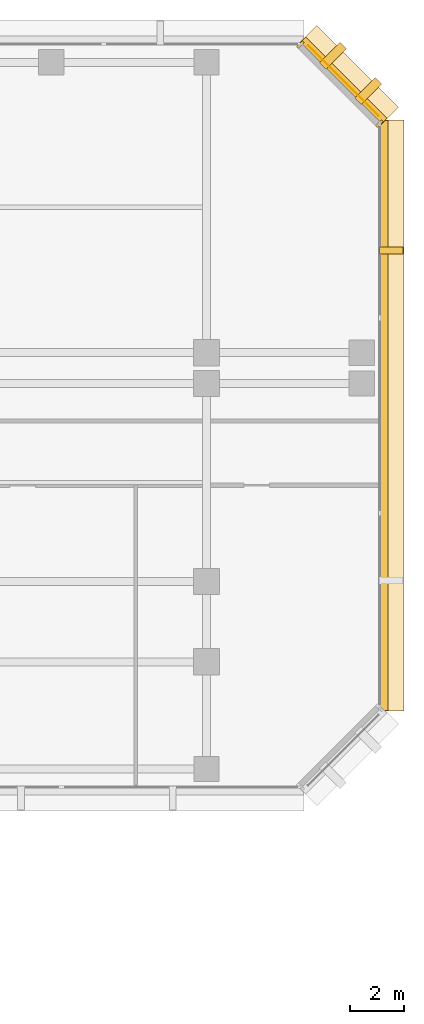
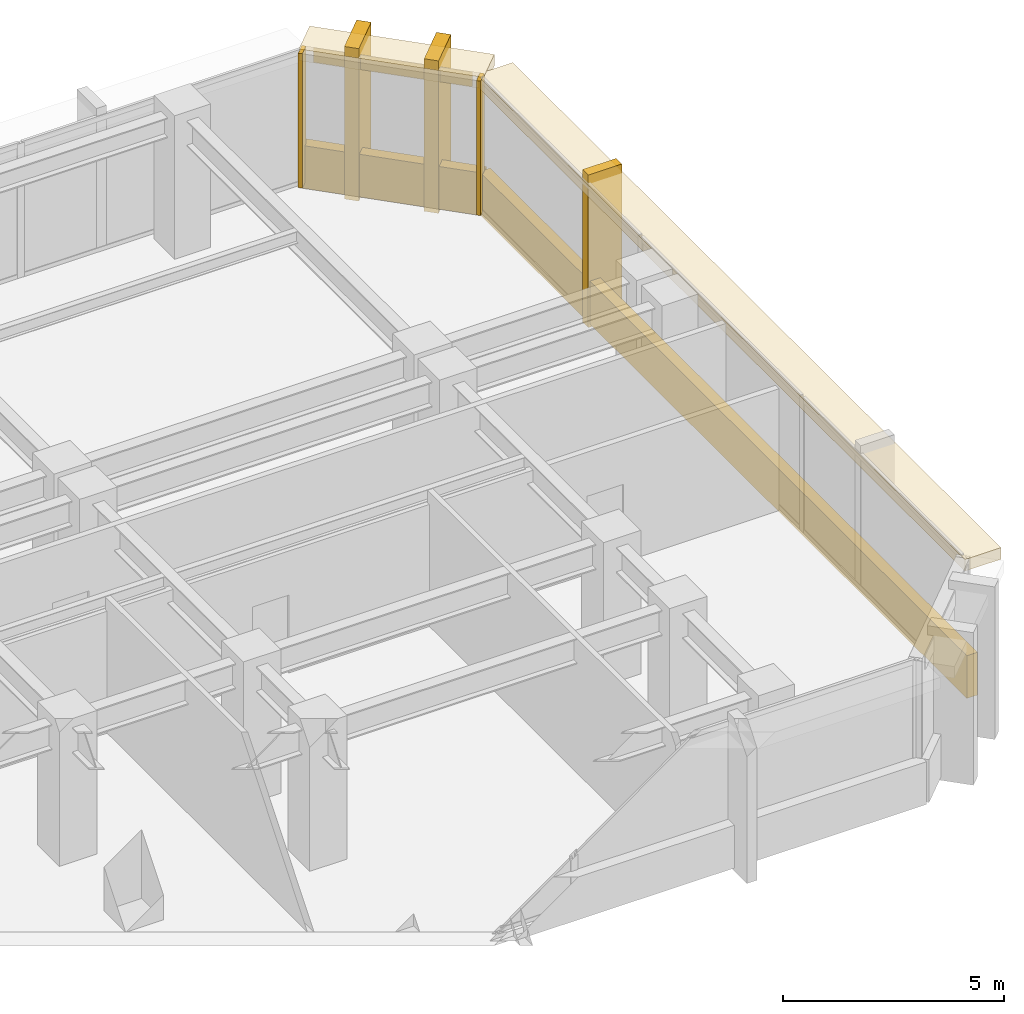
# One storey, part 13 of 13: 10 coverings.
"""IFC4 building model written with IfcOpenShell, lengths in metres."""

from ifc_helpers import new_model, si_unit, direction, frame, origin, origin_2d, place, context, subcontext, project, spatial, rectangle, extrude, material, layer, layer_set, type_object, element, save


model = new_model("IFC4")

# Units and contexts
model_context = context("Model", 3, precision=1e-05, world=origin(), true_north=direction((0.0, 1.0)))
body_context = subcontext(model_context, "Body", "Model", "MODEL_VIEW")
ifc_project = project(units=[si_unit("LENGTHUNIT", "METRE"), si_unit("AREAUNIT", "SQUARE_METRE"), si_unit("VOLUMEUNIT", "CUBIC_METRE"), si_unit("PLANEANGLEUNIT", "RADIAN"), si_unit("MASSUNIT", "GRAM", prefix="KILO")], contexts=[model_context])

# Site, building, storey
site_placement = place(None, origin())
site = spatial("IfcSite", under=ifc_project, at=site_placement, CompositionType="ELEMENT")
building_placement = place(site_placement, origin())
building = spatial("IfcBuilding", under=site, at=building_placement, Name="Kefirva Bronze Tower", CompositionType="ELEMENT")
storey_placement = place(building_placement, frame((0.0, 0.0, 77.8798828125)))
storey = spatial("IfcBuildingStorey", under=building, at=storey_placement, Name="L18", CompositionType="ELEMENT", Elevation=77.8798828125)

# Coverings
ifc_material = material(Name="Bronze anodised aluminium", Category="aluminium")
ifc_layer_1 = layer(ifc_material, 0.02001953125, Name="Bronze anodised aluminium")
ifc_layer_set_1 = layer_set([ifc_layer_1], Name="Bronze anodised aluminium")
covering_type_1 = type_object("IfcCoveringType", Name="Anodised Bronze Spandrel Cladding 20mm", PredefinedType="CLADDING", material=ifc_layer_set_1)
covering_1_placement = place(storey_placement, frame((56.0400390625, 32.0, -0.15966796875), z_axis=(0.0, 0.0, 1.0), x_axis=(0.0, 1.0, 0.0)))
element("IfcCovering", 1, at=covering_1_placement, inside=storey, type_object=covering_type_1, Name="L18 Streamline Horizontal Spandrel Band 10", PredefinedType="CLADDING", context=body_context, shape_type="SweptSolid", body=[
    extrude(rectangle(XDim=22.0400390625, YDim=0.280029296875, at=origin_2d()), origin(), (0.0, 0.0, 1.0), 1.179931640625),
])
covering_2_placement = place(storey_placement, frame((54.507080078125, 44.507080078125, 3.290283203125), z_axis=(0.0, 0.0, 1.0), x_axis=(-0.707106781187, 0.707106781187, 0.0)))
element("IfcCovering", 2, at=covering_2_placement, inside=storey, type_object=covering_type_1, Name="L18 Bronze Spandrel Cladding 8", PredefinedType="CLADDING", context=body_context, shape_type="SweptSolid", body=[
    extrude(rectangle(XDim=3.719482421875, YDim=0.02001953125, at=origin_2d()), origin(), (0.0, 0.0, 1.0), 0.39990234375),
])
for number, where, z_axis, x_axis, name in (
    (3, (55.862060546875, 42.91162109375, 0.000244140625), (0.0, 0.0, 1.0), (-0.707106781187, 0.707106781187, 0.0), "L18 Facade Joint Closure Panel 8S"),
    (4, (52.91162109375, 45.862060546875, 0.000244140625), (0.0, 0.0, 1.0), (-0.707106781187, 0.707106781187, 0.0), "L18 Facade Joint Closure Panel 8E"),
):
    element("IfcCovering", number, at=place(storey_placement, frame(where, z_axis=z_axis, x_axis=x_axis)), inside=storey, type_object=covering_type_1, Name=name, PredefinedType="CLADDING", context=body_context, shape_type="SweptSolid", body=[
        extrude(rectangle(XDim=0.10009765625, YDim=0.320068359375, at=origin_2d()), origin(), (0.0, 0.0, 1.0), 3.7099609375),
    ])
covering_3_placement = place(storey_placement, frame((54.5283203125, 44.5283203125, -0.15966796875), z_axis=(0.0, 0.0, 1.0), x_axis=(-0.707106781187, 0.707106781187, 0.0)))
element("IfcCovering", 5, at=covering_3_placement, inside=storey, type_object=covering_type_1, Name="L18 Streamline Horizontal Spandrel Band 11", PredefinedType="CLADDING", context=body_context, shape_type="SweptSolid", body=[
    extrude(rectangle(XDim=4.28271484375, YDim=0.280029296875, at=origin_2d()), origin(), (0.0, 0.0, 1.0), 1.179931640625),
])
ifc_layer_2 = layer(ifc_material, 0.179931640625, Name="Bronze anodised aluminium")
ifc_layer_set_2 = layer_set([ifc_layer_2], Name="Bronze anodised aluminium")
covering_type_2 = type_object("IfcCoveringType", Name="Streamline Bronze Sunshade Eyebrow Cladding 180mm", PredefinedType="CLADDING", material=ifc_layer_set_2)
covering_4_placement = place(storey_placement, frame((56.31005859375, 32.0, 3.39013671875), z_axis=(0.0, 0.0, 1.0), x_axis=(0.0, 1.0, 0.0)))
element("IfcCovering", 6, at=covering_4_placement, inside=storey, type_object=covering_type_2, Name="L18 Streamline Bronze Sunshade Eyebrow 10", PredefinedType="CLADDING", context=body_context, shape_type="SweptSolid", body=[
    extrude(rectangle(XDim=22.080078125, YDim=0.93994140625, at=origin_2d()), origin(), (0.0, 0.0, 1.0), 0.320068359375),
])
covering_5_placement = place(storey_placement, frame((54.71923828125, 44.71923828125, 3.39013671875), z_axis=(0.0, 0.0, 1.0), x_axis=(-0.707106781187, 0.707106781187, 0.0)))
element("IfcCovering", 7, at=covering_5_placement, inside=storey, type_object=covering_type_2, Name="L18 Streamline Bronze Sunshade Eyebrow 11", PredefinedType="CLADDING", context=body_context, shape_type="SweptSolid", body=[
    extrude(rectangle(XDim=4.322509765625, YDim=0.93994140625, at=origin_2d()), origin(), (0.0, 0.0, 1.0), 0.320068359375),
])
ifc_layer_3 = layer(ifc_material, 0.260009765625, Name="Bronze anodised aluminium")
ifc_layer_set_3 = layer_set([ifc_layer_3], Name="Bronze anodised aluminium")
covering_type_3 = type_object("IfcCoveringType", Name="Unbroken Bronze Buttress Fin Cladding 260mm", PredefinedType="CLADDING", material=ifc_layer_set_3)
covering_6_placement = place(storey_placement, frame((56.300048828125, 38.159912109375, -0.249755859375), z_axis=(0.0, 0.0, 1.0), x_axis=(0.0, 1.0, 0.0)))
element("IfcCovering", 8, at=covering_6_placement, inside=storey, type_object=covering_type_3, Name="L18 Unbroken Vertical Bronze Rib Fin 16", PredefinedType="CLADDING", context=body_context, shape_type="SweptSolid", body=[
    extrude(rectangle(XDim=0.260009765625, YDim=0.8798828125, at=origin_2d()), origin(), (0.0, 0.0, 1.0), 4.2099609375),
])
for number, where, z_axis, x_axis, name in (
    (9, (55.44287109375, 44.122802734375, -0.249755859375), (0.0, 0.0, 1.0), (-0.707106781187, 0.707106781187, 0.0), "L18 Chamfered Corner Buttress Fin Cladding 17"),
    (10, (54.122802734375, 45.44287109375, -0.249755859375), (0.0, 0.0, 1.0), (-0.707106781187, 0.707106781187, 0.0), "L18 Chamfered Corner Buttress Fin Cladding 18"),
):
    element("IfcCovering", number, at=place(storey_placement, frame(where, z_axis=z_axis, x_axis=x_axis)), inside=storey, type_object=covering_type_3, Name=name, PredefinedType="CLADDING", context=body_context, shape_type="SweptSolid", body=[
        extrude(rectangle(XDim=0.340087890625, YDim=1.080078125, at=origin_2d()), origin(), (0.0, 0.0, 1.0), 4.2099609375),
    ])

save(model, "model.ifc")
